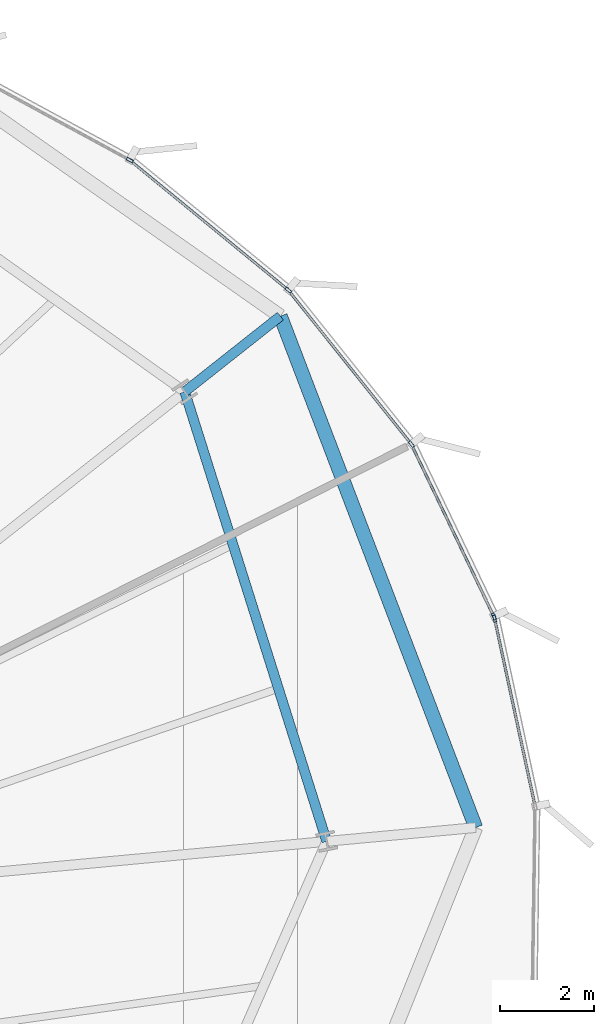
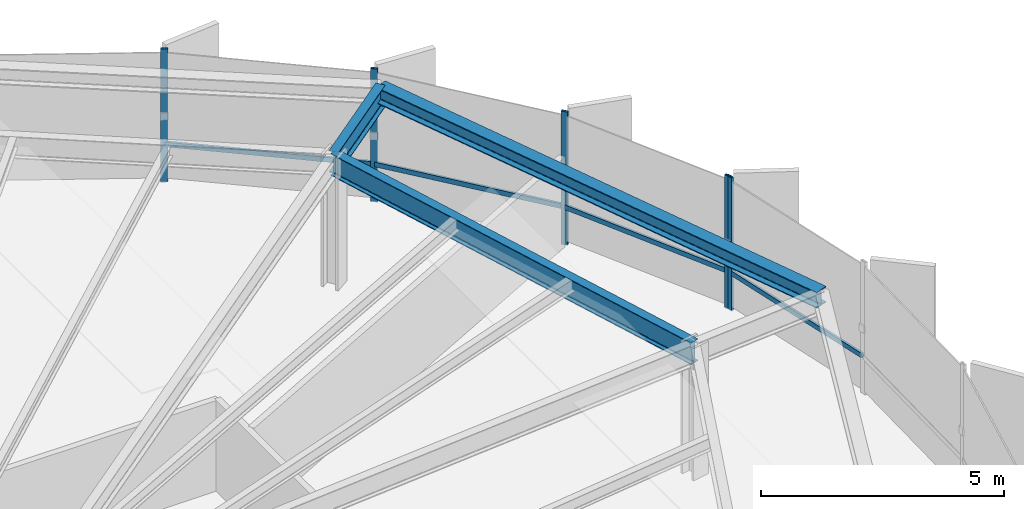
# One storey, part 24 of 33: 9 members, 3 beams, 2 elements without a shape of their own.
"""IFC4 building model written with IfcOpenShell, lengths in metres."""

from ifc_helpers import new_model, si_unit, direction, frame, origin, origin_2d, place, context, subcontext, project, spatial, hollow_rectangle, i_section, extrude, source, transform, mapped, material, layer, layer_set, material_profile, profile_set, type_object, element, aggregate, save


model = new_model("IFC4")

# Units and contexts
model_context = context("Model", 3, precision=1e-05, world=origin(), true_north=direction((0.0, 1.0)))
body_context = subcontext(model_context, "Body", "Model", "MODEL_VIEW")
ifc_project = project(units=[si_unit("LENGTHUNIT", "METRE"), si_unit("AREAUNIT", "SQUARE_METRE"), si_unit("VOLUMEUNIT", "CUBIC_METRE"), si_unit("PLANEANGLEUNIT", "RADIAN"), si_unit("MASSUNIT", "GRAM", prefix="KILO"), si_unit("THERMODYNAMICTEMPERATUREUNIT", "KELVIN")], contexts=[model_context])

# Site, building, storey
site_placement = place(None, origin())
site = spatial("IfcSite", under=ifc_project, at=site_placement, CompositionType="ELEMENT")
building_placement = place(site_placement, origin())
building = spatial("IfcBuilding", under=site, at=building_placement, Name="Kethvar Cultural Tower", CompositionType="ELEMENT")
storey_placement = place(building_placement, frame((0.0, 0.0, 110.800048828125)))
storey = spatial("IfcBuildingStorey", under=building, at=storey_placement, Name="L27", CompositionType="ELEMENT", Elevation=110.800048828125)

# Beams
ifc_material_1 = material(Name="Steel S355J2", Category="steel")
ifc_material_profile_1 = material_profile(ifc_material_1, i_section(OverallWidth=0.2099609375, OverallDepth=0.550048828125, WebThickness=0.010986328125, FlangeThickness=0.01708984375, FilletRadius=0.02392578125, at=origin_2d()), Name="Steel S355J2 — IPE550")
ifc_profile_set_1 = profile_set([ifc_material_profile_1], Name="Steel S355J2 — IPE550")
beam_type_1 = type_object("IfcBeamType", Name="BM-IPE550", PredefinedType="BEAM", material=ifc_profile_set_1)
shared_shape_1 = source(origin(), body_context, "Body", "SweptSolid", [
    extrude(i_section(OverallWidth=0.2099609375, OverallDepth=0.550048828125, WebThickness=0.010986328125, FlangeThickness=0.01708984375, FilletRadius=0.02392578125, at=origin_2d()), origin(), (0.0, 0.0, 1.0), 10.079345703125),
])
beam_1_placement = place(storey_placement, frame((71.6025390625, 32.7333984375, 3.072998046875), z_axis=(-0.301007326566, 0.953621827222, 0.0), x_axis=(-0.953621827222, -0.301007326566, 0.0)))
element("IfcBeam", 1, at=beam_1_placement, inside=storey, type_object=beam_type_1, Name="L27 Column Ring Tie Beam CR-01", PredefinedType="BEAM", context=body_context, shape_type="MappedRepresentation", body=[
    mapped(shared_shape_1, transform((0.0, 0.0, 0.0), scale=1.0)),
])
shared_shape_2 = source(origin(), body_context, "Body", "SweptSolid", [
    extrude(i_section(OverallWidth=0.2099609375, OverallDepth=0.550048828125, WebThickness=0.010986328125, FlangeThickness=0.01708984375, FilletRadius=0.02392578125, at=origin_2d()), origin(), (0.0, 0.0, 1.0), 2.60595703125),
])
beam_2_placement = place(storey_placement, frame((68.568603515625, 42.34521484375, 3.072998046875), z_axis=(0.784647686491, 0.619941939285, 0.0), x_axis=(-0.619941939285, 0.784647686491, 0.0)))
element("IfcBeam", 2, at=beam_2_placement, inside=storey, type_object=beam_type_1, Name="L27 Perimeter Cantilever Beam RC-02", PredefinedType="BEAM", context=body_context, shape_type="MappedRepresentation", body=[
    mapped(shared_shape_2, transform((0.0, 0.0, 0.0), scale=1.0)),
])
ifc_material_profile_2 = material_profile(ifc_material_1, i_section(OverallWidth=0.300048828125, OverallDepth=0.39990234375, WebThickness=0.013427734375, FlangeThickness=0.02392578125, FilletRadius=0.027099609375, at=origin_2d()), Name="Steel S355J2 — HEB400")
ifc_profile_set_2 = profile_set([ifc_material_profile_2], Name="Steel S355J2 — HEB400")
beam_type_2 = type_object("IfcBeamType", Name="BM-SP400", PredefinedType="SPANDREL", material=ifc_profile_set_2)
shared_shape_3 = source(origin(), body_context, "Body", "SweptSolid", [
    extrude(i_section(OverallWidth=0.300048828125, OverallDepth=0.39990234375, WebThickness=0.013427734375, FlangeThickness=0.02392578125, FilletRadius=0.027099609375, at=origin_2d()), origin(), (0.0, 0.0, 1.0), 11.7021484375),
])
beam_3_placement = place(storey_placement, frame((74.788818359375, 33.02880859375, 3.14794921875), z_axis=(-0.356816771902, 0.934174390191, 0.0), x_axis=(-0.934174390191, -0.356816771902, 0.0)))
element("IfcBeam", 3, at=beam_3_placement, inside=storey, type_object=beam_type_2, Name="L27 Perimeter Spandrel Beam SP-01", PredefinedType="SPANDREL", context=body_context, shape_type="MappedRepresentation", body=[
    mapped(shared_shape_3, transform((0.0, 0.0, 0.0), scale=1.0)),
])

# Curtain wall, members
ifc_material_2 = material(Name="Aluminium 6063-T6", Category="aluminium")
ifc_layer = layer(ifc_material_2, 0.179931640625, Name="Aluminium 6063-T6", Category="aluminium")
ifc_layer_set = layer_set([ifc_layer], Name="Aluminium 6063-T6 (180 mm)")
curtain_wall_type = type_object("IfcCurtainWallType", Name="CW-SYS-03-Z2", PredefinedType="NOTDEFINED", material=ifc_layer_set)
curtain_wall_1_placement = place(storey_placement, origin())
curtain_wall_1 = element("IfcCurtainWall", 4, at=curtain_wall_1_placement, inside=storey, type_object=curtain_wall_type, Name="L27 Curtain Wall Run 01", PredefinedType="NOTDEFINED")
ifc_material_profile_3 = material_profile(ifc_material_2, hollow_rectangle(XDim=0.06005859375, YDim=0.14990234375, WallThickness=0.0048828125, at=origin_2d()), Name="Aluminium 6063-T6 — RHS150x60x5")
ifc_profile_set_3 = profile_set([ifc_material_profile_3], Name="Aluminium 6063-T6 — RHS150x60x5")
member_type_1 = type_object("IfcMemberType", Name="CW-SYS-03-Z2-MUL", PredefinedType="MULLION", material=ifc_profile_set_3)
shared_shape_4 = source(origin(), body_context, "Body", "SweptSolid", [
    extrude(hollow_rectangle(XDim=0.06005859375, YDim=0.14990234375, WallThickness=0.0048828125, at=origin_2d()), origin(), (0.0, 0.0, 1.0), 3.349853515625),
])
member_1_placement = place(storey_placement, frame((75.17578125, 37.5419921875, 0.0), z_axis=(0.0, 0.0, 1.0), x_axis=(-0.901749555277, -0.432258880254, 0.0)))
member_1 = element("IfcMember", 5, at=member_1_placement, type_object=member_type_1, Name="CW-L27-R01 Mullion 1", PredefinedType="MULLION", context=body_context, shape_type="MappedRepresentation", body=[
    mapped(shared_shape_4, transform((0.0, 0.0, 0.0), scale=1.0)),
])
member_2_placement = place(storey_placement, frame((73.414794921875, 41.22265625, 0.0), z_axis=(0.0, 0.0, 1.0), x_axis=(-0.781073833486, -0.624438681251, 0.0)))
member_2 = element("IfcMember", 6, at=member_2_placement, type_object=member_type_1, Name="CW-L27-R01 Mullion 2", PredefinedType="MULLION", context=body_context, shape_type="MappedRepresentation", body=[
    mapped(shared_shape_4, transform((0.0, 0.0, 0.0), scale=1.0)),
])
member_3_placement = place(storey_placement, frame((70.783447265625, 44.51806640625, 0.0), z_axis=(0.0, 0.0, 1.0), x_axis=(-0.633691460956, -0.773585892006, 0.0)))
member_3 = element("IfcMember", 7, at=member_3_placement, type_object=member_type_1, Name="CW-L27-R01 Mullion 3", PredefinedType="MULLION", context=body_context, shape_type="MappedRepresentation", body=[
    mapped(shared_shape_4, transform((0.0, 0.0, 0.0), scale=1.0)),
])
member_4_placement = place(storey_placement, frame((67.393310546875, 47.2978515625, 0.0), z_axis=(0.0, 0.0, 1.0), x_axis=(-0.477189436473, -0.878800456144, 0.0)))
member_4 = element("IfcMember", 8, at=member_4_placement, type_object=member_type_1, Name="CW-L27-R01 Mullion 4", PredefinedType="MULLION", context=body_context, shape_type="MappedRepresentation", body=[
    mapped(shared_shape_4, transform((0.0, 0.0, 0.0), scale=1.0)),
])

# Curtain wall, member
curtain_wall_2_placement = place(storey_placement, origin())
curtain_wall_2 = element("IfcCurtainWall", 9, at=curtain_wall_2_placement, inside=storey, type_object=curtain_wall_type, Name="L27 Curtain Wall Run 06", PredefinedType="NOTDEFINED")
member_5_placement = place(storey_placement, frame((75.192138671875, 37.494140625, 0.0), z_axis=(0.0, 0.0, 1.0), x_axis=(-0.977456447721, -0.211137142181, 0.0)))
member_5 = element("IfcMember", 10, at=member_5_placement, type_object=member_type_1, Name="CW-L27-R06 Mullion 6", PredefinedType="MULLION", context=body_context, shape_type="MappedRepresentation", body=[
    mapped(shared_shape_4, transform((0.0, 0.0, 0.0), scale=1.0)),
])

# Member
ifc_material_profile_4 = material_profile(ifc_material_2, hollow_rectangle(XDim=0.054931640625, YDim=0.1201171875, WallThickness=0.00390625, at=origin_2d()), Name="Aluminium 6063-T6 — RHS120x55x4")
ifc_profile_set_4 = profile_set([ifc_material_profile_4], Name="Aluminium 6063-T6 — RHS120x55x4")
member_type_2 = type_object("IfcMemberType", Name="CW-SYS-03-Z2-TRN", PredefinedType="USERDEFINED", material=ifc_profile_set_4)
shared_shape_5 = source(origin(), body_context, "Body", "SweptSolid", [
    extrude(hollow_rectangle(XDim=0.054931640625, YDim=0.1201171875, WallThickness=0.00390625, at=origin_2d()), origin(), (0.0, 0.0, 1.0), 4.058837890625),
])
member_6_placement = place(storey_placement, frame((75.174072265625, 37.545654296875, 0.949951171875), z_axis=(-0.43223431877, 0.901761328555, 0.0), x_axis=(-0.901761328555, -0.43223431877, 0.0)))
member_6 = element("IfcMember", 11, at=member_6_placement, type_object=member_type_2, Name="CW-L27-R01 Transom 1", ObjectType="TRANSOM", PredefinedType="USERDEFINED", context=body_context, shape_type="MappedRepresentation", body=[
    mapped(shared_shape_5, transform((0.0, 0.0, 0.0), scale=1.0)),
])

member_7_placement = place(storey_placement, frame((76.050048828125, 33.522705078125, 0.949951171875), z_axis=(-0.211130884663, 0.977457799366, 0.0), x_axis=(-0.977457799366, -0.211130884663, 0.0)))
member_7 = element("IfcMember", 12, at=member_7_placement, type_object=member_type_2, Name="CW-L27-R06 Transom 5", ObjectType="TRANSOM", PredefinedType="USERDEFINED", context=body_context, shape_type="MappedRepresentation", body=[
    mapped(shared_shape_5, transform((0.0, 0.0, 0.0), scale=1.0)),
])

aggregate(curtain_wall_2, [member_5, member_7])

shared_shape_6 = source(origin(), body_context, "Body", "SweptSolid", [
    extrude(hollow_rectangle(XDim=0.054931640625, YDim=0.1201171875, WallThickness=0.00390625, at=origin_2d()), origin(), (0.0, 0.0, 1.0), 4.154541015625),
])
member_8_placement = place(storey_placement, frame((73.3876953125, 41.25634765625, 0.949951171875), z_axis=(-0.62442269015, 0.781086617492, 0.0), x_axis=(-0.781086617492, -0.62442269015, 0.0)))
member_8 = element("IfcMember", 13, at=member_8_placement, type_object=member_type_2, Name="CW-L27-R01 Transom 2", ObjectType="TRANSOM", PredefinedType="USERDEFINED", context=body_context, shape_type="MappedRepresentation", body=[
    mapped(shared_shape_6, transform((0.0, 0.0, 0.0), scale=1.0)),
])

shared_shape_7 = source(origin(), body_context, "Body", "SweptSolid", [
    extrude(hollow_rectangle(XDim=0.054931640625, YDim=0.1201171875, WallThickness=0.00390625, at=origin_2d()), origin(), (0.0, 0.0, 1.0), 4.3193359375),
])
member_9_placement = place(storey_placement, frame((70.75, 44.54541015625, 0.949951171875), z_axis=(-0.773559254353, 0.633723977773, 0.0), x_axis=(-0.633723977773, -0.773559254353, 0.0)))
member_9 = element("IfcMember", 14, at=member_9_placement, type_object=member_type_2, Name="CW-L27-R01 Transom 3", ObjectType="TRANSOM", PredefinedType="USERDEFINED", context=body_context, shape_type="MappedRepresentation", body=[
    mapped(shared_shape_7, transform((0.0, 0.0, 0.0), scale=1.0)),
])

aggregate(curtain_wall_1, [member_1, member_2, member_3, member_4, member_6, member_8, member_9])

save(model, "model.ifc")
